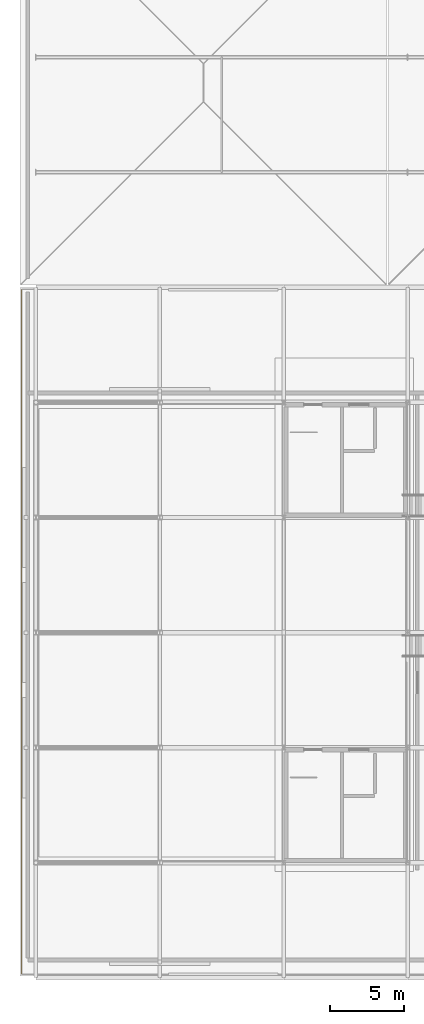
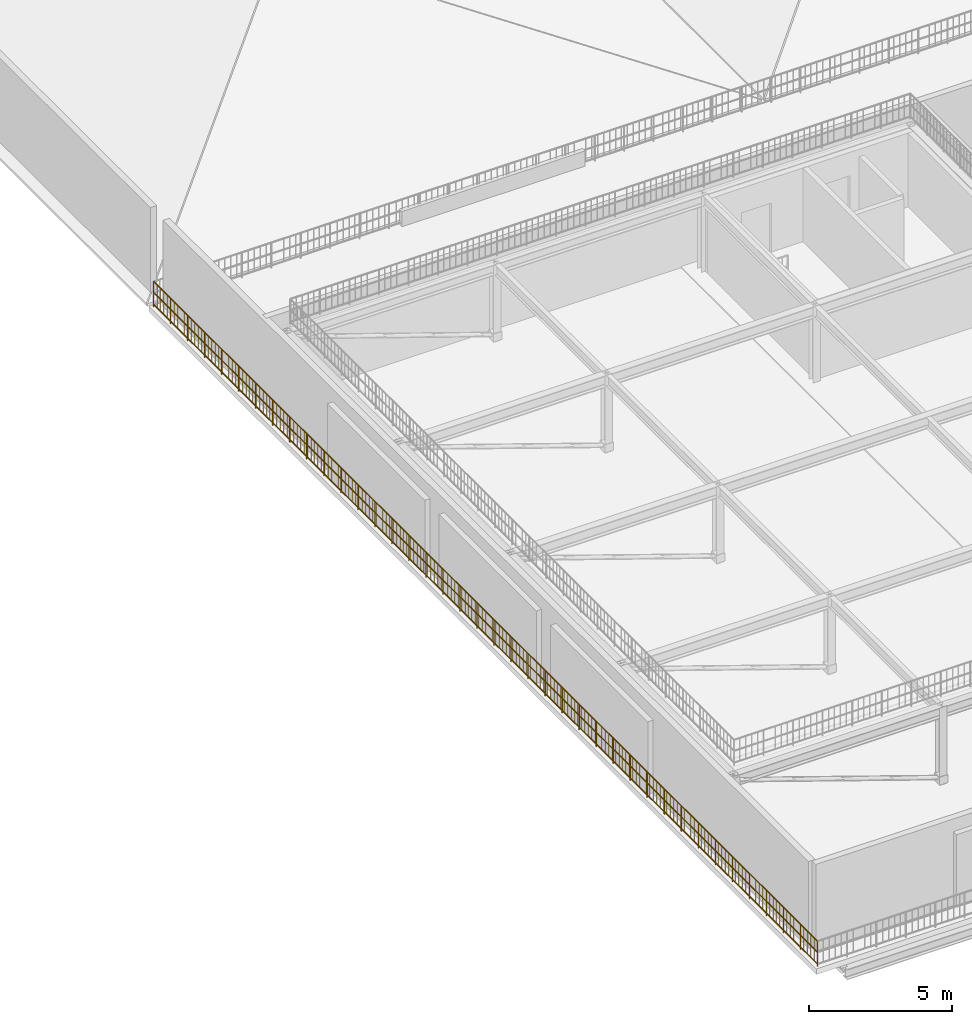
# One storey, part 11 of 16: 1 railing.
"""IFC4 building model written with IfcOpenShell, lengths in metres."""

from ifc_helpers import new_model, si_unit, direction, frame, origin, origin_2d, place, context, subcontext, project, spatial, circle, extrude, material, layer, layer_set, type_object, element, save


model = new_model("IFC4")

# Units and contexts
model_context = context("Model", 3, precision=1e-05, world=origin(), true_north=direction((0.0, 1.0)))
body_context = subcontext(model_context, "Body", "Model", "MODEL_VIEW")
ifc_project = project(units=[si_unit("LENGTHUNIT", "METRE"), si_unit("AREAUNIT", "SQUARE_METRE"), si_unit("VOLUMEUNIT", "CUBIC_METRE"), si_unit("PLANEANGLEUNIT", "RADIAN"), si_unit("MASSUNIT", "GRAM", prefix="KILO")], contexts=[model_context])

# Site, building, storey
site_placement = place(None, origin())
site = spatial("IfcSite", under=ifc_project, at=site_placement, CompositionType="ELEMENT")
building_placement = place(site_placement, origin())
building = spatial("IfcBuilding", under=site, at=building_placement, Name="Nabrawat Pavilion Hospital", CompositionType="ELEMENT")
storey_placement = place(building_placement, frame((0.0, 0.0, 35.10009765625)))
storey = spatial("IfcBuildingStorey", under=building, at=storey_placement, Name="Roof", CompositionType="ELEMENT", Elevation=35.10009765625)

# Railing
ifc_material = material(Name="Stainless Steel 316", Category="steel")
ifc_layer = layer(ifc_material, 0.070068359375, Name="Stainless Steel 316")
ifc_layer_set = layer_set([ifc_layer], Name="Stainless Steel 316")
railing_type = type_object("IfcRailingType", Name="Exterior Clinical Terrace Safety Guardrail 1100", PredefinedType="GUARDRAIL", material=ifc_layer_set)
railing_placement = place(storey_placement, frame((150.239990234375, 39.239990234375, 0.0)))
element("IfcRailing", 1, at=railing_placement, inside=storey, type_object=railing_type, Name="Roof Headhouse Terrace Safety Guardrail West", PredefinedType="GUARDRAIL", context=body_context, shape_type="SweptSolid", body=[
    extrude(circle(Radius=0.02392578125, at=origin_2d()), frame((0.0, 0.0, 1.076171875), z_axis=(0.0, 1.0, 0.0), x_axis=(-1.0, 0.0, 0.0)), (0.0, 0.0, 1.0), 46.43994140625),
    extrude(circle(Radius=0.02392578125, at=origin_2d()), frame((0.0, 0.0, 0.10009765625), z_axis=(0.0, 1.0, 0.0), x_axis=(-1.0, 0.0, 0.0)), (0.0, 0.0, 1.0), 46.43994140625),
    extrude(circle(Radius=0.02392578125, at=origin_2d()), frame((0.0, 0.0, 0.60498046875), z_axis=(0.0, 1.0, 0.0), x_axis=(-1.0, 0.0, 0.0)), (0.0, 0.0, 1.0), 46.43994140625),
    extrude(circle(Radius=0.008056640625, at=origin_2d()), frame((0.0, 0.239501953125, 0.10009765625)), (0.0, 0.0, 1.0), 0.951904296875),
    extrude(circle(Radius=0.008056640625, at=origin_2d()), frame((0.0, 0.478759765625, 0.10009765625)), (0.0, 0.0, 1.0), 0.951904296875),
    extrude(circle(Radius=0.008056640625, at=origin_2d()), frame((0.0, 0.71826171875, 0.10009765625)), (0.0, 0.0, 1.0), 0.951904296875),
    extrude(circle(Radius=0.008056640625, at=origin_2d()), frame((0.0, 0.95751953125, 0.10009765625)), (0.0, 0.0, 1.0), 0.951904296875),
    extrude(circle(Radius=0.008056640625, at=origin_2d()), frame((0.0, 1.436279296875, 0.10009765625)), (0.0, 0.0, 1.0), 0.951904296875),
    extrude(circle(Radius=0.008056640625, at=origin_2d()), frame((0.0, 1.67578125, 0.10009765625)), (0.0, 0.0, 1.0), 0.951904296875),
    extrude(circle(Radius=0.008056640625, at=origin_2d()), frame((0.0, 1.9150390625, 0.10009765625)), (0.0, 0.0, 1.0), 0.951904296875),
    extrude(circle(Radius=0.008056640625, at=origin_2d()), frame((0.0, 2.154541015625, 0.10009765625)), (0.0, 0.0, 1.0), 0.951904296875),
    extrude(circle(Radius=0.008056640625, at=origin_2d()), frame((0.0, 2.63330078125, 0.10009765625)), (0.0, 0.0, 1.0), 0.951904296875),
    extrude(circle(Radius=0.008056640625, at=origin_2d()), frame((0.0, 2.87255859375, 0.10009765625)), (0.0, 0.0, 1.0), 0.951904296875),
    extrude(circle(Radius=0.008056640625, at=origin_2d()), frame((0.0, 3.112060546875, 0.10009765625)), (0.0, 0.0, 1.0), 0.951904296875),
    extrude(circle(Radius=0.008056640625, at=origin_2d()), frame((0.0, 3.351318359375, 0.10009765625)), (0.0, 0.0, 1.0), 0.951904296875),
    extrude(circle(Radius=0.008056640625, at=origin_2d()), frame((0.0, 3.830078125, 0.10009765625)), (0.0, 0.0, 1.0), 0.951904296875),
    extrude(circle(Radius=0.008056640625, at=origin_2d()), frame((0.0, 4.069580078125, 0.10009765625)), (0.0, 0.0, 1.0), 0.951904296875),
    extrude(circle(Radius=0.008056640625, at=origin_2d()), frame((0.0, 4.308837890625, 0.10009765625)), (0.0, 0.0, 1.0), 0.951904296875),
    extrude(circle(Radius=0.008056640625, at=origin_2d()), frame((0.0, 4.54833984375, 0.10009765625)), (0.0, 0.0, 1.0), 0.951904296875),
    extrude(circle(Radius=0.008056640625, at=origin_2d()), frame((0.0, 5.027099609375, 0.10009765625)), (0.0, 0.0, 1.0), 0.951904296875),
    extrude(circle(Radius=0.008056640625, at=origin_2d()), frame((0.0, 5.266357421875, 0.10009765625)), (0.0, 0.0, 1.0), 0.951904296875),
    extrude(circle(Radius=0.008056640625, at=origin_2d()), frame((0.0, 5.505859375, 0.10009765625)), (0.0, 0.0, 1.0), 0.951904296875),
    extrude(circle(Radius=0.008056640625, at=origin_2d()), frame((0.0, 5.7451171875, 0.10009765625)), (0.0, 0.0, 1.0), 0.951904296875),
    extrude(circle(Radius=0.008056640625, at=origin_2d()), frame((0.0, 6.223876953125, 0.10009765625)), (0.0, 0.0, 1.0), 0.951904296875),
    extrude(circle(Radius=0.008056640625, at=origin_2d()), frame((0.0, 6.46337890625, 0.10009765625)), (0.0, 0.0, 1.0), 0.951904296875),
    extrude(circle(Radius=0.008056640625, at=origin_2d()), frame((0.0, 6.70263671875, 0.10009765625)), (0.0, 0.0, 1.0), 0.951904296875),
    extrude(circle(Radius=0.008056640625, at=origin_2d()), frame((0.0, 6.942138671875, 0.10009765625)), (0.0, 0.0, 1.0), 0.951904296875),
    extrude(circle(Radius=0.008056640625, at=origin_2d()), frame((0.0, 7.4208984375, 0.10009765625)), (0.0, 0.0, 1.0), 0.951904296875),
    extrude(circle(Radius=0.008056640625, at=origin_2d()), frame((0.0, 7.66015625, 0.10009765625)), (0.0, 0.0, 1.0), 0.951904296875),
    extrude(circle(Radius=0.008056640625, at=origin_2d()), frame((0.0, 7.899658203125, 0.10009765625)), (0.0, 0.0, 1.0), 0.951904296875),
    extrude(circle(Radius=0.008056640625, at=origin_2d()), frame((0.0, 8.138916015625, 0.10009765625)), (0.0, 0.0, 1.0), 0.951904296875),
    extrude(circle(Radius=0.008056640625, at=origin_2d()), frame((0.0, 8.61767578125, 0.10009765625)), (0.0, 0.0, 1.0), 0.951904296875),
    extrude(circle(Radius=0.008056640625, at=origin_2d()), frame((0.0, 8.857177734375, 0.10009765625)), (0.0, 0.0, 1.0), 0.951904296875),
    extrude(circle(Radius=0.008056640625, at=origin_2d()), frame((0.0, 9.096435546875, 0.10009765625)), (0.0, 0.0, 1.0), 0.951904296875),
    extrude(circle(Radius=0.008056640625, at=origin_2d()), frame((0.0, 9.3359375, 0.10009765625)), (0.0, 0.0, 1.0), 0.951904296875),
    extrude(circle(Radius=0.008056640625, at=origin_2d()), frame((0.0, 9.814697265625, 0.10009765625)), (0.0, 0.0, 1.0), 0.951904296875),
    extrude(circle(Radius=0.008056640625, at=origin_2d()), frame((0.0, 10.053955078125, 0.10009765625)), (0.0, 0.0, 1.0), 0.951904296875),
    extrude(circle(Radius=0.008056640625, at=origin_2d()), frame((0.0, 10.29345703125, 0.10009765625)), (0.0, 0.0, 1.0), 0.951904296875),
    extrude(circle(Radius=0.008056640625, at=origin_2d()), frame((0.0, 10.53271484375, 0.10009765625)), (0.0, 0.0, 1.0), 0.951904296875),
    extrude(circle(Radius=0.008056640625, at=origin_2d()), frame((0.0, 10.772216796875, 0.10009765625)), (0.0, 0.0, 1.0), 0.951904296875),
    extrude(circle(Radius=0.008056640625, at=origin_2d()), frame((0.0, 11.011474609375, 0.10009765625)), (0.0, 0.0, 1.0), 0.951904296875),
    extrude(circle(Radius=0.008056640625, at=origin_2d()), frame((0.0, 11.2509765625, 0.10009765625)), (0.0, 0.0, 1.0), 0.951904296875),
    extrude(circle(Radius=0.008056640625, at=origin_2d()), frame((0.0, 11.490234375, 0.10009765625)), (0.0, 0.0, 1.0), 0.951904296875),
    extrude(circle(Radius=0.008056640625, at=origin_2d()), frame((0.0, 11.729736328125, 0.10009765625)), (0.0, 0.0, 1.0), 0.951904296875),
    extrude(circle(Radius=0.008056640625, at=origin_2d()), frame((0.0, 11.968994140625, 0.10009765625)), (0.0, 0.0, 1.0), 0.951904296875),
    extrude(circle(Radius=0.008056640625, at=origin_2d()), frame((0.0, 12.20849609375, 0.10009765625)), (0.0, 0.0, 1.0), 0.951904296875),
    extrude(circle(Radius=0.008056640625, at=origin_2d()), frame((0.0, 12.44775390625, 0.10009765625)), (0.0, 0.0, 1.0), 0.951904296875),
    extrude(circle(Radius=0.008056640625, at=origin_2d()), frame((0.0, 12.687255859375, 0.10009765625)), (0.0, 0.0, 1.0), 0.951904296875),
    extrude(circle(Radius=0.008056640625, at=origin_2d()), frame((0.0, 12.926513671875, 0.10009765625)), (0.0, 0.0, 1.0), 0.951904296875),
    extrude(circle(Radius=0.008056640625, at=origin_2d()), frame((0.0, 13.166015625, 0.10009765625)), (0.0, 0.0, 1.0), 0.951904296875),
    extrude(circle(Radius=0.008056640625, at=origin_2d()), frame((0.0, 13.4052734375, 0.10009765625)), (0.0, 0.0, 1.0), 0.951904296875),
    extrude(circle(Radius=0.008056640625, at=origin_2d()), frame((0.0, 13.644775390625, 0.10009765625)), (0.0, 0.0, 1.0), 0.951904296875),
    extrude(circle(Radius=0.008056640625, at=origin_2d()), frame((0.0, 13.884033203125, 0.10009765625)), (0.0, 0.0, 1.0), 0.951904296875),
    extrude(circle(Radius=0.008056640625, at=origin_2d()), frame((0.0, 14.12353515625, 0.10009765625)), (0.0, 0.0, 1.0), 0.951904296875),
    extrude(circle(Radius=0.008056640625, at=origin_2d()), frame((0.0, 14.36279296875, 0.10009765625)), (0.0, 0.0, 1.0), 0.951904296875),
    extrude(circle(Radius=0.008056640625, at=origin_2d()), frame((0.0, 14.602294921875, 0.10009765625)), (0.0, 0.0, 1.0), 0.951904296875),
    extrude(circle(Radius=0.008056640625, at=origin_2d()), frame((0.0, 14.841552734375, 0.10009765625)), (0.0, 0.0, 1.0), 0.951904296875),
    extrude(circle(Radius=0.008056640625, at=origin_2d()), frame((0.0, 15.0810546875, 0.10009765625)), (0.0, 0.0, 1.0), 0.951904296875),
    extrude(circle(Radius=0.008056640625, at=origin_2d()), frame((0.0, 15.3203125, 0.10009765625)), (0.0, 0.0, 1.0), 0.951904296875),
    extrude(circle(Radius=0.008056640625, at=origin_2d()), frame((0.0, 15.559814453125, 0.10009765625)), (0.0, 0.0, 1.0), 0.951904296875),
    extrude(circle(Radius=0.008056640625, at=origin_2d()), frame((0.0, 15.799072265625, 0.10009765625)), (0.0, 0.0, 1.0), 0.951904296875),
    extrude(circle(Radius=0.008056640625, at=origin_2d()), frame((0.0, 16.03857421875, 0.10009765625)), (0.0, 0.0, 1.0), 0.951904296875),
    extrude(circle(Radius=0.008056640625, at=origin_2d()), frame((0.0, 16.27783203125, 0.10009765625)), (0.0, 0.0, 1.0), 0.951904296875),
    extrude(circle(Radius=0.008056640625, at=origin_2d()), frame((0.0, 16.517333984375, 0.10009765625)), (0.0, 0.0, 1.0), 0.951904296875),
    extrude(circle(Radius=0.008056640625, at=origin_2d()), frame((0.0, 16.756591796875, 0.10009765625)), (0.0, 0.0, 1.0), 0.951904296875),
    extrude(circle(Radius=0.008056640625, at=origin_2d()), frame((0.0, 16.99609375, 0.10009765625)), (0.0, 0.0, 1.0), 0.951904296875),
    extrude(circle(Radius=0.008056640625, at=origin_2d()), frame((0.0, 17.2353515625, 0.10009765625)), (0.0, 0.0, 1.0), 0.951904296875),
    extrude(circle(Radius=0.008056640625, at=origin_2d()), frame((0.0, 17.474853515625, 0.10009765625)), (0.0, 0.0, 1.0), 0.951904296875),
    extrude(circle(Radius=0.008056640625, at=origin_2d()), frame((0.0, 17.714111328125, 0.10009765625)), (0.0, 0.0, 1.0), 0.951904296875),
    extrude(circle(Radius=0.008056640625, at=origin_2d()), frame((0.0, 17.95361328125, 0.10009765625)), (0.0, 0.0, 1.0), 0.951904296875),
    extrude(circle(Radius=0.008056640625, at=origin_2d()), frame((0.0, 18.19287109375, 0.10009765625)), (0.0, 0.0, 1.0), 0.951904296875),
    extrude(circle(Radius=0.008056640625, at=origin_2d()), frame((0.0, 18.432373046875, 0.10009765625)), (0.0, 0.0, 1.0), 0.951904296875),
    extrude(circle(Radius=0.008056640625, at=origin_2d()), frame((0.0, 18.671630859375, 0.10009765625)), (0.0, 0.0, 1.0), 0.951904296875),
    extrude(circle(Radius=0.008056640625, at=origin_2d()), frame((0.0, 18.9111328125, 0.10009765625)), (0.0, 0.0, 1.0), 0.951904296875),
    extrude(circle(Radius=0.008056640625, at=origin_2d()), frame((0.0, 19.150390625, 0.10009765625)), (0.0, 0.0, 1.0), 0.951904296875),
    extrude(circle(Radius=0.008056640625, at=origin_2d()), frame((0.0, 19.389892578125, 0.10009765625)), (0.0, 0.0, 1.0), 0.951904296875),
    extrude(circle(Radius=0.008056640625, at=origin_2d()), frame((0.0, 19.629150390625, 0.10009765625)), (0.0, 0.0, 1.0), 0.951904296875),
    extrude(circle(Radius=0.008056640625, at=origin_2d()), frame((0.0, 19.86865234375, 0.10009765625)), (0.0, 0.0, 1.0), 0.951904296875),
    extrude(circle(Radius=0.008056640625, at=origin_2d()), frame((0.0, 20.10791015625, 0.10009765625)), (0.0, 0.0, 1.0), 0.951904296875),
    extrude(circle(Radius=0.008056640625, at=origin_2d()), frame((0.0, 20.347412109375, 0.10009765625)), (0.0, 0.0, 1.0), 0.951904296875),
    extrude(circle(Radius=0.008056640625, at=origin_2d()), frame((0.0, 20.586669921875, 0.10009765625)), (0.0, 0.0, 1.0), 0.951904296875),
    extrude(circle(Radius=0.008056640625, at=origin_2d()), frame((0.0, 20.826171875, 0.10009765625)), (0.0, 0.0, 1.0), 0.951904296875),
    extrude(circle(Radius=0.008056640625, at=origin_2d()), frame((0.0, 21.0654296875, 0.10009765625)), (0.0, 0.0, 1.0), 0.951904296875),
    extrude(circle(Radius=0.008056640625, at=origin_2d()), frame((0.0, 21.304931640625, 0.10009765625)), (0.0, 0.0, 1.0), 0.951904296875),
    extrude(circle(Radius=0.008056640625, at=origin_2d()), frame((0.0, 21.544189453125, 0.10009765625)), (0.0, 0.0, 1.0), 0.951904296875),
    extrude(circle(Radius=0.008056640625, at=origin_2d()), frame((0.0, 21.78369140625, 0.10009765625)), (0.0, 0.0, 1.0), 0.951904296875),
    extrude(circle(Radius=0.008056640625, at=origin_2d()), frame((0.0, 22.02294921875, 0.10009765625)), (0.0, 0.0, 1.0), 0.951904296875),
    extrude(circle(Radius=0.008056640625, at=origin_2d()), frame((0.0, 22.262451171875, 0.10009765625)), (0.0, 0.0, 1.0), 0.951904296875),
    extrude(circle(Radius=0.008056640625, at=origin_2d()), frame((0.0, 22.501708984375, 0.10009765625)), (0.0, 0.0, 1.0), 0.951904296875),
    extrude(circle(Radius=0.008056640625, at=origin_2d()), frame((0.0, 22.7412109375, 0.10009765625)), (0.0, 0.0, 1.0), 0.951904296875),
    extrude(circle(Radius=0.008056640625, at=origin_2d()), frame((0.0, 22.98046875, 0.10009765625)), (0.0, 0.0, 1.0), 0.951904296875),
    extrude(circle(Radius=0.008056640625, at=origin_2d()), frame((0.0, 23.219970703125, 0.10009765625)), (0.0, 0.0, 1.0), 0.951904296875),
    extrude(circle(Radius=0.008056640625, at=origin_2d()), frame((0.0, 23.45947265625, 0.10009765625)), (0.0, 0.0, 1.0), 0.951904296875),
    extrude(circle(Radius=0.008056640625, at=origin_2d()), frame((0.0, 23.69873046875, 0.10009765625)), (0.0, 0.0, 1.0), 0.951904296875),
    extrude(circle(Radius=0.008056640625, at=origin_2d()), frame((0.0, 23.938232421875, 0.10009765625)), (0.0, 0.0, 1.0), 0.951904296875),
    extrude(circle(Radius=0.008056640625, at=origin_2d()), frame((0.0, 24.177490234375, 0.10009765625)), (0.0, 0.0, 1.0), 0.951904296875),
    extrude(circle(Radius=0.008056640625, at=origin_2d()), frame((0.0, 24.4169921875, 0.10009765625)), (0.0, 0.0, 1.0), 0.951904296875),
    extrude(circle(Radius=0.008056640625, at=origin_2d()), frame((0.0, 24.65625, 0.10009765625)), (0.0, 0.0, 1.0), 0.951904296875),
    extrude(circle(Radius=0.008056640625, at=origin_2d()), frame((0.0, 24.895751953125, 0.10009765625)), (0.0, 0.0, 1.0), 0.951904296875),
    extrude(circle(Radius=0.008056640625, at=origin_2d()), frame((0.0, 25.135009765625, 0.10009765625)), (0.0, 0.0, 1.0), 0.951904296875),
    extrude(circle(Radius=0.008056640625, at=origin_2d()), frame((0.0, 25.37451171875, 0.10009765625)), (0.0, 0.0, 1.0), 0.951904296875),
    extrude(circle(Radius=0.008056640625, at=origin_2d()), frame((0.0, 25.61376953125, 0.10009765625)), (0.0, 0.0, 1.0), 0.951904296875),
    extrude(circle(Radius=0.008056640625, at=origin_2d()), frame((0.0, 25.853271484375, 0.10009765625)), (0.0, 0.0, 1.0), 0.951904296875),
    extrude(circle(Radius=0.008056640625, at=origin_2d()), frame((0.0, 26.092529296875, 0.10009765625)), (0.0, 0.0, 1.0), 0.951904296875),
    extrude(circle(Radius=0.008056640625, at=origin_2d()), frame((0.0, 26.33203125, 0.10009765625)), (0.0, 0.0, 1.0), 0.951904296875),
    extrude(circle(Radius=0.008056640625, at=origin_2d()), frame((0.0, 26.5712890625, 0.10009765625)), (0.0, 0.0, 1.0), 0.951904296875),
    extrude(circle(Radius=0.008056640625, at=origin_2d()), frame((0.0, 26.810791015625, 0.10009765625)), (0.0, 0.0, 1.0), 0.951904296875),
    extrude(circle(Radius=0.008056640625, at=origin_2d()), frame((0.0, 27.050048828125, 0.10009765625)), (0.0, 0.0, 1.0), 0.951904296875),
    extrude(circle(Radius=0.008056640625, at=origin_2d()), frame((0.0, 27.28955078125, 0.10009765625)), (0.0, 0.0, 1.0), 0.951904296875),
    extrude(circle(Radius=0.008056640625, at=origin_2d()), frame((0.0, 27.52880859375, 0.10009765625)), (0.0, 0.0, 1.0), 0.951904296875),
    extrude(circle(Radius=0.008056640625, at=origin_2d()), frame((0.0, 27.768310546875, 0.10009765625)), (0.0, 0.0, 1.0), 0.951904296875),
    extrude(circle(Radius=0.008056640625, at=origin_2d()), frame((0.0, 28.007568359375, 0.10009765625)), (0.0, 0.0, 1.0), 0.951904296875),
    extrude(circle(Radius=0.008056640625, at=origin_2d()), frame((0.0, 28.2470703125, 0.10009765625)), (0.0, 0.0, 1.0), 0.951904296875),
    extrude(circle(Radius=0.008056640625, at=origin_2d()), frame((0.0, 28.486328125, 0.10009765625)), (0.0, 0.0, 1.0), 0.951904296875),
    extrude(circle(Radius=0.008056640625, at=origin_2d()), frame((0.0, 28.725830078125, 0.10009765625)), (0.0, 0.0, 1.0), 0.951904296875),
    extrude(circle(Radius=0.008056640625, at=origin_2d()), frame((0.0, 28.965087890625, 0.10009765625)), (0.0, 0.0, 1.0), 0.951904296875),
    extrude(circle(Radius=0.008056640625, at=origin_2d()), frame((0.0, 29.20458984375, 0.10009765625)), (0.0, 0.0, 1.0), 0.951904296875),
    extrude(circle(Radius=0.008056640625, at=origin_2d()), frame((0.0, 29.44384765625, 0.10009765625)), (0.0, 0.0, 1.0), 0.951904296875),
    extrude(circle(Radius=0.008056640625, at=origin_2d()), frame((0.0, 29.683349609375, 0.10009765625)), (0.0, 0.0, 1.0), 0.951904296875),
    extrude(circle(Radius=0.008056640625, at=origin_2d()), frame((0.0, 29.922607421875, 0.10009765625)), (0.0, 0.0, 1.0), 0.951904296875),
    extrude(circle(Radius=0.008056640625, at=origin_2d()), frame((0.0, 30.162109375, 0.10009765625)), (0.0, 0.0, 1.0), 0.951904296875),
    extrude(circle(Radius=0.008056640625, at=origin_2d()), frame((0.0, 30.4013671875, 0.10009765625)), (0.0, 0.0, 1.0), 0.951904296875),
    extrude(circle(Radius=0.008056640625, at=origin_2d()), frame((0.0, 30.640869140625, 0.10009765625)), (0.0, 0.0, 1.0), 0.951904296875),
    extrude(circle(Radius=0.008056640625, at=origin_2d()), frame((0.0, 30.880126953125, 0.10009765625)), (0.0, 0.0, 1.0), 0.951904296875),
    extrude(circle(Radius=0.008056640625, at=origin_2d()), frame((0.0, 31.11962890625, 0.10009765625)), (0.0, 0.0, 1.0), 0.951904296875),
    extrude(circle(Radius=0.008056640625, at=origin_2d()), frame((0.0, 31.35888671875, 0.10009765625)), (0.0, 0.0, 1.0), 0.951904296875),
    extrude(circle(Radius=0.008056640625, at=origin_2d()), frame((0.0, 31.598388671875, 0.10009765625)), (0.0, 0.0, 1.0), 0.951904296875),
    extrude(circle(Radius=0.008056640625, at=origin_2d()), frame((0.0, 31.837646484375, 0.10009765625)), (0.0, 0.0, 1.0), 0.951904296875),
    extrude(circle(Radius=0.008056640625, at=origin_2d()), frame((0.0, 32.0771484375, 0.10009765625)), (0.0, 0.0, 1.0), 0.951904296875),
    extrude(circle(Radius=0.008056640625, at=origin_2d()), frame((0.0, 32.31640625, 0.10009765625)), (0.0, 0.0, 1.0), 0.951904296875),
    extrude(circle(Radius=0.008056640625, at=origin_2d()), frame((0.0, 32.555908203125, 0.10009765625)), (0.0, 0.0, 1.0), 0.951904296875),
    extrude(circle(Radius=0.008056640625, at=origin_2d()), frame((0.0, 32.795166015625, 0.10009765625)), (0.0, 0.0, 1.0), 0.951904296875),
    extrude(circle(Radius=0.008056640625, at=origin_2d()), frame((0.0, 33.03466796875, 0.10009765625)), (0.0, 0.0, 1.0), 0.951904296875),
    extrude(circle(Radius=0.008056640625, at=origin_2d()), frame((0.0, 33.27392578125, 0.10009765625)), (0.0, 0.0, 1.0), 0.951904296875),
    extrude(circle(Radius=0.008056640625, at=origin_2d()), frame((0.0, 33.513427734375, 0.10009765625)), (0.0, 0.0, 1.0), 0.951904296875),
    extrude(circle(Radius=0.008056640625, at=origin_2d()), frame((0.0, 33.752685546875, 0.10009765625)), (0.0, 0.0, 1.0), 0.951904296875),
    extrude(circle(Radius=0.008056640625, at=origin_2d()), frame((0.0, 33.9921875, 0.10009765625)), (0.0, 0.0, 1.0), 0.951904296875),
    extrude(circle(Radius=0.008056640625, at=origin_2d()), frame((0.0, 34.2314453125, 0.10009765625)), (0.0, 0.0, 1.0), 0.951904296875),
    extrude(circle(Radius=0.008056640625, at=origin_2d()), frame((0.0, 34.470947265625, 0.10009765625)), (0.0, 0.0, 1.0), 0.951904296875),
    extrude(circle(Radius=0.008056640625, at=origin_2d()), frame((0.0, 34.710205078125, 0.10009765625)), (0.0, 0.0, 1.0), 0.951904296875),
    extrude(circle(Radius=0.008056640625, at=origin_2d()), frame((0.0, 34.94970703125, 0.10009765625)), (0.0, 0.0, 1.0), 0.951904296875),
    extrude(circle(Radius=0.008056640625, at=origin_2d()), frame((0.0, 35.18896484375, 0.10009765625)), (0.0, 0.0, 1.0), 0.951904296875),
    extrude(circle(Radius=0.008056640625, at=origin_2d()), frame((0.0, 35.428466796875, 0.10009765625)), (0.0, 0.0, 1.0), 0.951904296875),
    extrude(circle(Radius=0.008056640625, at=origin_2d()), frame((0.0, 35.667724609375, 0.10009765625)), (0.0, 0.0, 1.0), 0.951904296875),
    extrude(circle(Radius=0.008056640625, at=origin_2d()), frame((0.0, 35.9072265625, 0.10009765625)), (0.0, 0.0, 1.0), 0.951904296875),
    extrude(circle(Radius=0.008056640625, at=origin_2d()), frame((0.0, 36.146484375, 0.10009765625)), (0.0, 0.0, 1.0), 0.951904296875),
    extrude(circle(Radius=0.008056640625, at=origin_2d()), frame((0.0, 36.385986328125, 0.10009765625)), (0.0, 0.0, 1.0), 0.951904296875),
    extrude(circle(Radius=0.008056640625, at=origin_2d()), frame((0.0, 36.625244140625, 0.10009765625)), (0.0, 0.0, 1.0), 0.951904296875),
    extrude(circle(Radius=0.008056640625, at=origin_2d()), frame((0.0, 37.10400390625, 0.10009765625)), (0.0, 0.0, 1.0), 0.951904296875),
    extrude(circle(Radius=0.008056640625, at=origin_2d()), frame((0.0, 37.343505859375, 0.10009765625)), (0.0, 0.0, 1.0), 0.951904296875),
    extrude(circle(Radius=0.008056640625, at=origin_2d()), frame((0.0, 37.582763671875, 0.10009765625)), (0.0, 0.0, 1.0), 0.951904296875),
    extrude(circle(Radius=0.008056640625, at=origin_2d()), frame((0.0, 37.822265625, 0.10009765625)), (0.0, 0.0, 1.0), 0.951904296875),
    extrude(circle(Radius=0.008056640625, at=origin_2d()), frame((0.0, 38.301025390625, 0.10009765625)), (0.0, 0.0, 1.0), 0.951904296875),
    extrude(circle(Radius=0.008056640625, at=origin_2d()), frame((0.0, 38.540283203125, 0.10009765625)), (0.0, 0.0, 1.0), 0.951904296875),
    extrude(circle(Radius=0.008056640625, at=origin_2d()), frame((0.0, 38.77978515625, 0.10009765625)), (0.0, 0.0, 1.0), 0.951904296875),
    extrude(circle(Radius=0.008056640625, at=origin_2d()), frame((0.0, 39.01904296875, 0.10009765625)), (0.0, 0.0, 1.0), 0.951904296875),
    extrude(circle(Radius=0.008056640625, at=origin_2d()), frame((0.0, 39.497802734375, 0.10009765625)), (0.0, 0.0, 1.0), 0.951904296875),
    extrude(circle(Radius=0.008056640625, at=origin_2d()), frame((0.0, 39.7373046875, 0.10009765625)), (0.0, 0.0, 1.0), 0.951904296875),
    extrude(circle(Radius=0.008056640625, at=origin_2d()), frame((0.0, 39.9765625, 0.10009765625)), (0.0, 0.0, 1.0), 0.951904296875),
    extrude(circle(Radius=0.008056640625, at=origin_2d()), frame((0.0, 40.216064453125, 0.10009765625)), (0.0, 0.0, 1.0), 0.951904296875),
    extrude(circle(Radius=0.008056640625, at=origin_2d()), frame((0.0, 40.69482421875, 0.10009765625)), (0.0, 0.0, 1.0), 0.951904296875),
    extrude(circle(Radius=0.008056640625, at=origin_2d()), frame((0.0, 40.93408203125, 0.10009765625)), (0.0, 0.0, 1.0), 0.951904296875),
    extrude(circle(Radius=0.008056640625, at=origin_2d()), frame((0.0, 41.173583984375, 0.10009765625)), (0.0, 0.0, 1.0), 0.951904296875),
    extrude(circle(Radius=0.008056640625, at=origin_2d()), frame((0.0, 41.412841796875, 0.10009765625)), (0.0, 0.0, 1.0), 0.951904296875),
    extrude(circle(Radius=0.008056640625, at=origin_2d()), frame((0.0, 41.8916015625, 0.10009765625)), (0.0, 0.0, 1.0), 0.951904296875),
    extrude(circle(Radius=0.008056640625, at=origin_2d()), frame((0.0, 42.131103515625, 0.10009765625)), (0.0, 0.0, 1.0), 0.951904296875),
    extrude(circle(Radius=0.008056640625, at=origin_2d()), frame((0.0, 42.370361328125, 0.10009765625)), (0.0, 0.0, 1.0), 0.951904296875),
    extrude(circle(Radius=0.008056640625, at=origin_2d()), frame((0.0, 42.60986328125, 0.10009765625)), (0.0, 0.0, 1.0), 0.951904296875),
    extrude(circle(Radius=0.008056640625, at=origin_2d()), frame((0.0, 43.088623046875, 0.10009765625)), (0.0, 0.0, 1.0), 0.951904296875),
    extrude(circle(Radius=0.008056640625, at=origin_2d()), frame((0.0, 43.327880859375, 0.10009765625)), (0.0, 0.0, 1.0), 0.951904296875),
    extrude(circle(Radius=0.008056640625, at=origin_2d()), frame((0.0, 43.5673828125, 0.10009765625)), (0.0, 0.0, 1.0), 0.951904296875),
    extrude(circle(Radius=0.008056640625, at=origin_2d()), frame((0.0, 43.806640625, 0.10009765625)), (0.0, 0.0, 1.0), 0.951904296875),
    extrude(circle(Radius=0.008056640625, at=origin_2d()), frame((0.0, 44.285400390625, 0.10009765625)), (0.0, 0.0, 1.0), 0.951904296875),
    extrude(circle(Radius=0.008056640625, at=origin_2d()), frame((0.0, 44.52490234375, 0.10009765625)), (0.0, 0.0, 1.0), 0.951904296875),
    extrude(circle(Radius=0.008056640625, at=origin_2d()), frame((0.0, 44.76416015625, 0.10009765625)), (0.0, 0.0, 1.0), 0.951904296875),
    extrude(circle(Radius=0.008056640625, at=origin_2d()), frame((0.0, 45.003662109375, 0.10009765625)), (0.0, 0.0, 1.0), 0.951904296875),
    extrude(circle(Radius=0.008056640625, at=origin_2d()), frame((0.0, 45.482421875, 0.10009765625)), (0.0, 0.0, 1.0), 0.951904296875),
    extrude(circle(Radius=0.008056640625, at=origin_2d()), frame((0.0, 45.7216796875, 0.10009765625)), (0.0, 0.0, 1.0), 0.951904296875),
    extrude(circle(Radius=0.008056640625, at=origin_2d()), frame((0.0, 45.961181640625, 0.10009765625)), (0.0, 0.0, 1.0), 0.951904296875),
    extrude(circle(Radius=0.008056640625, at=origin_2d()), frame((0.0, 46.200439453125, 0.10009765625)), (0.0, 0.0, 1.0), 0.951904296875),
    extrude(circle(Radius=0.02099609375, at=origin_2d()), origin(), (0.0, 0.0, 1.0), 1.052001953125),
    extrude(circle(Radius=0.02099609375, at=origin_2d()), frame((0.0, 1.190673828125, 0.0)), (0.0, 0.0, 1.0), 1.052001953125),
    extrude(circle(Radius=0.02099609375, at=origin_2d()), frame((0.0, 2.381591796875, 0.0)), (0.0, 0.0, 1.0), 1.052001953125),
    extrude(circle(Radius=0.02099609375, at=origin_2d()), frame((0.0, 3.572265625, 0.0)), (0.0, 0.0, 1.0), 1.052001953125),
    extrude(circle(Radius=0.02099609375, at=origin_2d()), frame((0.0, 4.76318359375, 0.0)), (0.0, 0.0, 1.0), 1.052001953125),
    extrude(circle(Radius=0.02099609375, at=origin_2d()), frame((0.0, 5.953857421875, 0.0)), (0.0, 0.0, 1.0), 1.052001953125),
    extrude(circle(Radius=0.02099609375, at=origin_2d()), frame((0.0, 7.14453125, 0.0)), (0.0, 0.0, 1.0), 1.052001953125),
    extrude(circle(Radius=0.02099609375, at=origin_2d()), frame((0.0, 8.33544921875, 0.0)), (0.0, 0.0, 1.0), 1.052001953125),
    extrude(circle(Radius=0.02099609375, at=origin_2d()), frame((0.0, 9.526123046875, 0.0)), (0.0, 0.0, 1.0), 1.052001953125),
    extrude(circle(Radius=0.02099609375, at=origin_2d()), frame((0.0, 10.716796875, 0.0)), (0.0, 0.0, 1.0), 1.052001953125),
    extrude(circle(Radius=0.02099609375, at=origin_2d()), frame((0.0, 11.90771484375, 0.0)), (0.0, 0.0, 1.0), 1.052001953125),
    extrude(circle(Radius=0.02099609375, at=origin_2d()), frame((0.0, 13.098388671875, 0.0)), (0.0, 0.0, 1.0), 1.052001953125),
    extrude(circle(Radius=0.02099609375, at=origin_2d()), frame((0.0, 14.289306640625, 0.0)), (0.0, 0.0, 1.0), 1.052001953125),
    extrude(circle(Radius=0.02099609375, at=origin_2d()), frame((0.0, 15.47998046875, 0.0)), (0.0, 0.0, 1.0), 1.052001953125),
    extrude(circle(Radius=0.02099609375, at=origin_2d()), frame((0.0, 16.670654296875, 0.0)), (0.0, 0.0, 1.0), 1.052001953125),
    extrude(circle(Radius=0.02099609375, at=origin_2d()), frame((0.0, 17.861572265625, 0.0)), (0.0, 0.0, 1.0), 1.052001953125),
    extrude(circle(Radius=0.02099609375, at=origin_2d()), frame((0.0, 19.05224609375, 0.0)), (0.0, 0.0, 1.0), 1.052001953125),
    extrude(circle(Radius=0.02099609375, at=origin_2d()), frame((0.0, 20.2431640625, 0.0)), (0.0, 0.0, 1.0), 1.052001953125),
    extrude(circle(Radius=0.02099609375, at=origin_2d()), frame((0.0, 21.433837890625, 0.0)), (0.0, 0.0, 1.0), 1.052001953125),
    extrude(circle(Radius=0.02099609375, at=origin_2d()), frame((0.0, 22.62451171875, 0.0)), (0.0, 0.0, 1.0), 1.052001953125),
    extrude(circle(Radius=0.02099609375, at=origin_2d()), frame((0.0, 23.8154296875, 0.0)), (0.0, 0.0, 1.0), 1.052001953125),
    extrude(circle(Radius=0.02099609375, at=origin_2d()), frame((0.0, 25.006103515625, 0.0)), (0.0, 0.0, 1.0), 1.052001953125),
    extrude(circle(Radius=0.02099609375, at=origin_2d()), frame((0.0, 26.19677734375, 0.0)), (0.0, 0.0, 1.0), 1.052001953125),
    extrude(circle(Radius=0.02099609375, at=origin_2d()), frame((0.0, 27.3876953125, 0.0)), (0.0, 0.0, 1.0), 1.052001953125),
    extrude(circle(Radius=0.02099609375, at=origin_2d()), frame((0.0, 28.578369140625, 0.0)), (0.0, 0.0, 1.0), 1.052001953125),
    extrude(circle(Radius=0.02099609375, at=origin_2d()), frame((0.0, 29.769287109375, 0.0)), (0.0, 0.0, 1.0), 1.052001953125),
    extrude(circle(Radius=0.02099609375, at=origin_2d()), frame((0.0, 30.9599609375, 0.0)), (0.0, 0.0, 1.0), 1.052001953125),
    extrude(circle(Radius=0.02099609375, at=origin_2d()), frame((0.0, 32.150634765625, 0.0)), (0.0, 0.0, 1.0), 1.052001953125),
    extrude(circle(Radius=0.02099609375, at=origin_2d()), frame((0.0, 33.341552734375, 0.0)), (0.0, 0.0, 1.0), 1.052001953125),
    extrude(circle(Radius=0.02099609375, at=origin_2d()), frame((0.0, 34.5322265625, 0.0)), (0.0, 0.0, 1.0), 1.052001953125),
    extrude(circle(Radius=0.02099609375, at=origin_2d()), frame((0.0, 35.72314453125, 0.0)), (0.0, 0.0, 1.0), 1.052001953125),
    extrude(circle(Radius=0.02099609375, at=origin_2d()), frame((0.0, 36.913818359375, 0.0)), (0.0, 0.0, 1.0), 1.052001953125),
    extrude(circle(Radius=0.02099609375, at=origin_2d()), frame((0.0, 38.1044921875, 0.0)), (0.0, 0.0, 1.0), 1.052001953125),
    extrude(circle(Radius=0.02099609375, at=origin_2d()), frame((0.0, 39.29541015625, 0.0)), (0.0, 0.0, 1.0), 1.052001953125),
    extrude(circle(Radius=0.02099609375, at=origin_2d()), frame((0.0, 40.486083984375, 0.0)), (0.0, 0.0, 1.0), 1.052001953125),
    extrude(circle(Radius=0.02099609375, at=origin_2d()), frame((0.0, 41.6767578125, 0.0)), (0.0, 0.0, 1.0), 1.052001953125),
    extrude(circle(Radius=0.02099609375, at=origin_2d()), frame((0.0, 42.86767578125, 0.0)), (0.0, 0.0, 1.0), 1.052001953125),
    extrude(circle(Radius=0.02099609375, at=origin_2d()), frame((0.0, 44.058349609375, 0.0)), (0.0, 0.0, 1.0), 1.052001953125),
    extrude(circle(Radius=0.02099609375, at=origin_2d()), frame((0.0, 45.249267578125, 0.0)), (0.0, 0.0, 1.0), 1.052001953125),
    extrude(circle(Radius=0.02099609375, at=origin_2d()), frame((0.0, 46.43994140625, 0.0)), (0.0, 0.0, 1.0), 1.052001953125),
])

save(model, "model.ifc")
